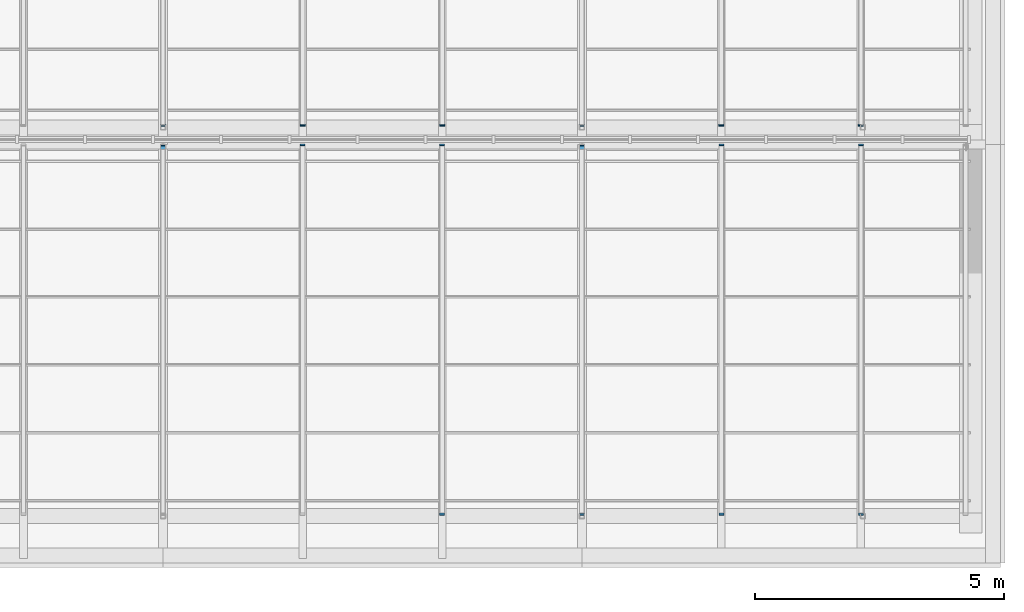
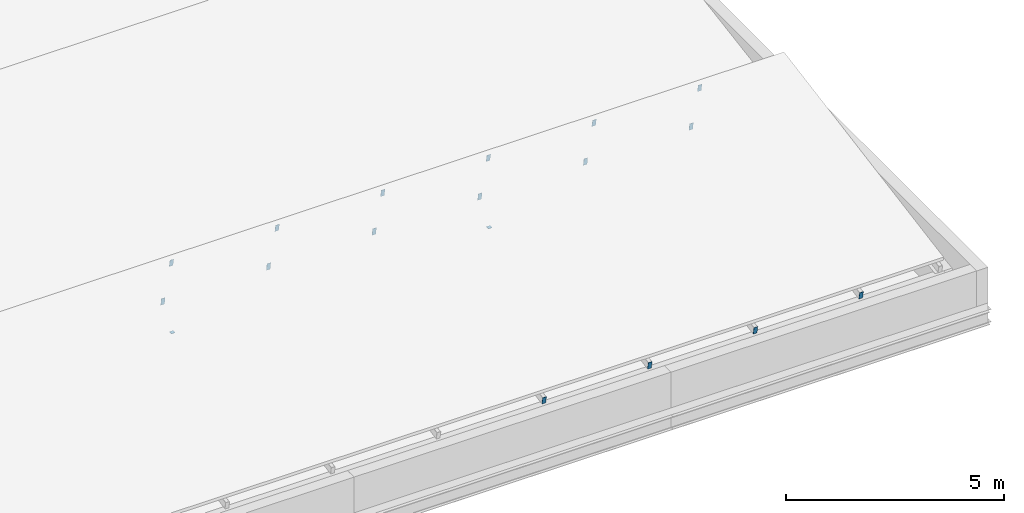
# One storey, part 34 of 42: 18 discrete accessories.
"""IFC4 building model written with IfcOpenShell, lengths in metres."""

from ifc_helpers import new_model, si_unit, direction, frame, origin, origin_2d, place, context, subcontext, project, spatial, rectangle, extrude, material, material_profile, profile_set, type_object, element, save


model = new_model("IFC4")

# Units and contexts
model_context = context("Model", 3, precision=1e-05, world=origin(), true_north=direction((0.0, 1.0)))
body_context = subcontext(model_context, "Body", "Model", "MODEL_VIEW")
ifc_project = project(units=[si_unit("LENGTHUNIT", "METRE"), si_unit("AREAUNIT", "SQUARE_METRE"), si_unit("VOLUMEUNIT", "CUBIC_METRE"), si_unit("PLANEANGLEUNIT", "RADIAN"), si_unit("MASSUNIT", "GRAM", prefix="KILO")], contexts=[model_context])

# Site, building, storey
site_placement = place(None, origin())
site = spatial("IfcSite", under=ifc_project, at=site_placement, CompositionType="ELEMENT")
building_placement = place(site_placement, origin())
building = spatial("IfcBuilding", under=site, at=building_placement, Name="Ardhachandra Cancer Care Centre", CompositionType="ELEMENT")
storey_placement = place(building_placement, frame((0.0, 0.0, 22.5)))
storey = spatial("IfcBuildingStorey", under=building, at=storey_placement, Name="L05", CompositionType="ELEMENT", Elevation=22.5)

# Discrete accessories
ifc_material_1 = material(Name="Galvanised flat steel (Steel E250 (IS 2062))", Category="steel")
ifc_material_profile_1 = material_profile(ifc_material_1, rectangle(XDim=0.10009765625, YDim=0.199951171875, at=origin_2d()), Name="Rafter end plate 200 x 100 x 8")
ifc_profile_set_1 = profile_set([ifc_material_profile_1], Name="Galvanised flat steel (Steel E250 (IS 2062))")
discrete_accessory_type_1 = type_object("IfcDiscreteAccessoryType", Name="Rafter end plate 200 x 100 x 8", PredefinedType="BRACKET", material=ifc_profile_set_1)
for number, where, z_axis, x_axis, name in (
    (1, (27.60009765625, 79.782470703125, 1.91845703125), (0.0, 0.982872186934, 0.18428853505), (-1.0, 0.0, 0.0), "Rafter end plate NT1a.4.2"),
    (2, (30.39990234375, 79.782470703125, 1.91845703125), (0.0, 0.982872186934, 0.18428853505), (-1.0, 0.0, 0.0), "Rafter end plate NT1a.5.2"),
    (3, (33.199951171875, 72.38232421875, 0.598388671875), (0.0, -0.982872186934, -0.18428853505), (1.0, 0.0, 0.0), "Rafter end plate NT1a.6.1"),
    (4, (33.199951171875, 79.782470703125, 1.91845703125), (0.0, 0.982872186934, 0.18428853505), (-1.0, 0.0, 0.0), "Rafter end plate NT1a.6.2"),
    (5, (36.0, 72.38232421875, 0.598388671875), (0.0, -0.982872186934, -0.18428853505), (1.0, 0.0, 0.0), "Rafter end plate NT1a.7.1"),
    (6, (36.0, 79.782470703125, 1.91845703125), (0.0, 0.982872186934, 0.18428853505), (-1.0, 0.0, 0.0), "Rafter end plate NT1a.7.2"),
    (7, (38.800048828125, 72.38232421875, 0.598388671875), (0.0, -0.982872186934, -0.18428853505), (1.0, 0.0, 0.0), "Rafter end plate NT1a.8.1"),
    (8, (38.800048828125, 79.782470703125, 1.91845703125), (0.0, 0.982872186934, 0.18428853505), (-1.0, 0.0, 0.0), "Rafter end plate NT1a.8.2"),
    (9, (41.60009765625, 72.38232421875, 0.598388671875), (0.0, -0.982872186934, -0.18428853505), (1.0, 0.0, 0.0), "Rafter end plate NT1a.9.1"),
    (10, (41.60009765625, 79.782470703125, 1.91845703125), (0.0, 0.982872186934, 0.18428853505), (-1.0, 0.0, 0.0), "Rafter end plate NT1a.9.2"),
    (11, (27.60009765625, 80.183837890625, 0.5986328125), (0.0, -0.988715504225, -0.149805379428), (1.0, 0.0, 0.0), "Rafter end plate NT2a.7.1"),
    (12, (30.39990234375, 80.183837890625, 0.5986328125), (0.0, -0.988715504225, -0.149805379428), (1.0, 0.0, 0.0), "Rafter end plate NT2a.8.1"),
    (13, (33.199951171875, 80.183837890625, 0.5986328125), (0.0, -0.988715504225, -0.149805379428), (1.0, 0.0, 0.0), "Rafter end plate NT2a.9.1"),
    (14, (36.0, 80.183837890625, 0.5986328125), (0.0, -0.988715504225, -0.149805379428), (1.0, 0.0, 0.0), "Rafter end plate NT2a.10.1"),
    (15, (38.800048828125, 80.183837890625, 0.5986328125), (0.0, -0.988715504225, -0.149805379428), (1.0, 0.0, 0.0), "Rafter end plate NT2a.11.1"),
    (16, (41.60009765625, 80.183837890625, 0.5986328125), (0.0, -0.988715504225, -0.149805379428), (1.0, 0.0, 0.0), "Rafter end plate NT2a.12.1"),
):
    element("IfcDiscreteAccessory", number, at=place(storey_placement, frame(where, z_axis=z_axis, x_axis=x_axis)), inside=storey, type_object=discrete_accessory_type_1, Name=name, PredefinedType="BRACKET", context=body_context, shape_type="SweptSolid", body=[
        extrude(rectangle(XDim=0.10009765625, YDim=0.199951171875, at=origin_2d()), origin(), (0.0, 0.0, 1.0), 0.008056640625),
    ])
ifc_material_2 = material(Name="Galvanised flat steel (Steel E250 (IS 2062))", Category="steel")
ifc_material_profile_2 = material_profile(ifc_material_2, rectangle(XDim=0.10009765625, YDim=0.10009765625, at=origin_2d()), Name="Ridge post foot plate 100 x 100 x 8")
ifc_profile_set_2 = profile_set([ifc_material_profile_2], Name="Galvanised flat steel (Steel E250 (IS 2062))")
discrete_accessory_type_2 = type_object("IfcDiscreteAccessoryType", Name="Ridge post foot plate 100 x 100 x 8", PredefinedType="BRACKET", material=ifc_profile_set_2)
for number, where, z_axis, x_axis, name in (
    (17, (27.60009765625, 79.75, 0.0), (0.0, 0.0, -1.0), (1.0, 0.0, 0.0), "Ridge post foot plate NT1a.2"),
    (18, (36.0, 79.75, 0.0), (0.0, 0.0, -1.0), (1.0, 0.0, 0.0), "Ridge post foot plate NT1a.3"),
):
    element("IfcDiscreteAccessory", number, at=place(storey_placement, frame(where, z_axis=z_axis, x_axis=x_axis)), inside=storey, type_object=discrete_accessory_type_2, Name=name, PredefinedType="BRACKET", context=body_context, shape_type="SweptSolid", body=[
        extrude(rectangle(XDim=0.10009765625, YDim=0.10009765625, at=origin_2d()), origin(), (0.0, 0.0, 1.0), 0.008056640625),
    ])

save(model, "model.ifc")
